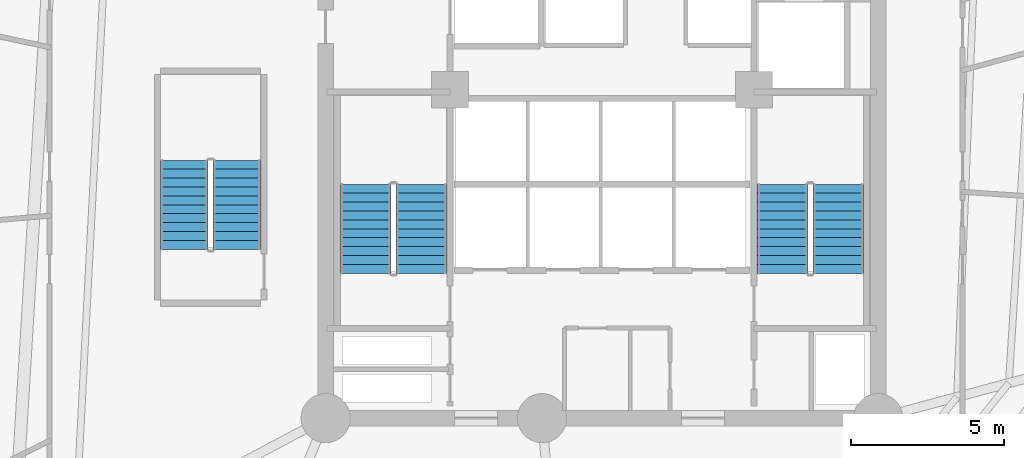
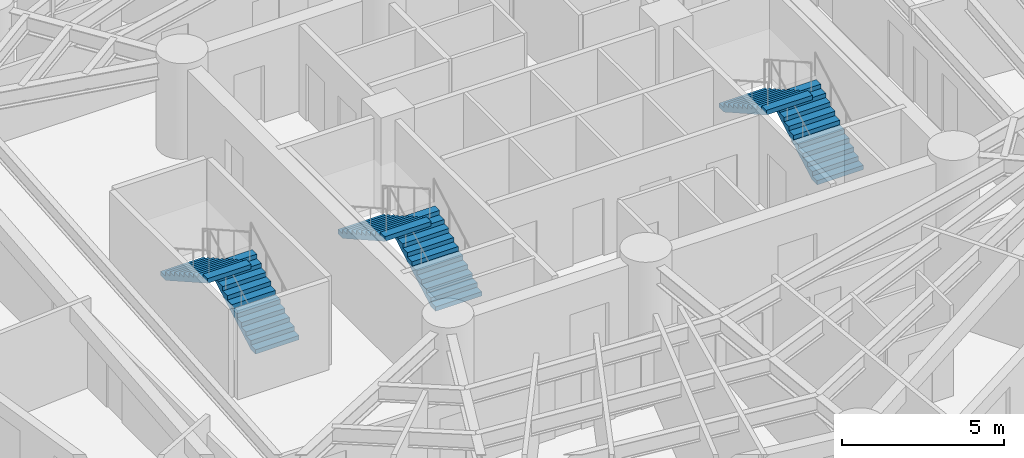
# One storey, part 7 of 9: 6 stair flights, 3 elements without a shape of their own.
"""IFC4 building model written with IfcOpenShell, lengths in metres."""

from ifc_helpers import new_model, si_unit, direction, frame, origin, place, context, subcontext, project, spatial, polyline, outline, extrude, material, type_object, element, aggregate, save


model = new_model("IFC4")

# Units and contexts
model_context = context("Model", 3, precision=1e-05, world=origin(), true_north=direction((0.0, 1.0)))
body_context = subcontext(model_context, "Body", "Model", "MODEL_VIEW")
ifc_project = project(units=[si_unit("LENGTHUNIT", "METRE"), si_unit("AREAUNIT", "SQUARE_METRE"), si_unit("VOLUMEUNIT", "CUBIC_METRE"), si_unit("PLANEANGLEUNIT", "RADIAN"), si_unit("MASSUNIT", "GRAM", prefix="KILO")], contexts=[model_context])

# Site, building, storey
site_placement = place(None, origin())
site = spatial("IfcSite", under=ifc_project, at=site_placement, CompositionType="ELEMENT")
building_placement = place(site_placement, origin())
building = spatial("IfcBuilding", under=site, at=building_placement, Name="Karkom Vertical University and Central Library", CompositionType="ELEMENT")
storey_placement = place(building_placement, frame((0.0, 0.0, 69.699951171875)))
storey = spatial("IfcBuildingStorey", under=building, at=storey_placement, Name="L18", CompositionType="ELEMENT", Elevation=69.699951171875)

# Stair, stair flights
ifc_material = material(Name="Concrete C45/55", Category="concrete")
stair_type_1 = type_object("IfcStairType", Name="INT-STR-ST-MAIN", PredefinedType="HALF_TURN_STAIR", material=ifc_material)
stair_1_placement = place(storey_placement, origin())
stair_1 = element("IfcStair", 1, at=stair_1_placement, inside=storey, type_object=stair_type_1, Name="Level 18 Tower Protected Exit Stair ST-1", PredefinedType="HALF_TURN_STAIR")
stair_flight_type_1 = type_object("IfcStairFlightType", Name="INT-SFL-ST-MAIN", PredefinedType="STRAIGHT", material=ifc_material)
stair_flight_1_placement = place(storey_placement, frame((22.614990234375, 23.02001953125, 0.0), z_axis=(0.0, 0.0, 1.0), x_axis=(0.0, 1.0, 0.0)))
stair_flight_1 = element("IfcStairFlight", 2, at=stair_flight_1_placement, type_object=stair_flight_type_1, Name="ST-1 flight 1", NumberOfRisers=11, NumberOfTreads=10, PredefinedType="STRAIGHT", RiserHeight=0.163636364, TreadLength=0.29, context=body_context, shape_type="SweptSolid", body=[
    extrude(outline(polyline([(0.0, 0.0), (0.0, 0.16357421875), (0.2900390625, 0.16357421875), (0.2900390625, 0.327392578125), (0.580078125, 0.327392578125), (0.580078125, 0.490966796875), (0.8701171875, 0.490966796875), (0.8701171875, 0.654541015625), (1.159912109375, 0.654541015625), (1.159912109375, 0.818115234375), (1.449951171875, 0.818115234375), (1.449951171875, 0.98193359375), (1.739990234375, 0.98193359375), (1.739990234375, 1.1455078125), (2.030029296875, 1.1455078125), (2.030029296875, 1.30908203125), (2.320068359375, 1.30908203125), (2.320068359375, 1.47265625), (2.610107421875, 1.47265625), (2.610107421875, 1.636474609375), (2.89990234375, 1.636474609375), (2.89990234375, 1.800048828125), (2.89990234375, 1.46435546875), (0.304931640625, 0.0), (0.0, 0.0)])), frame((0.0, 0.824951171875, 0.0), z_axis=(0.0, -1.0, 0.0), x_axis=(1.0, 0.0, 0.0)), (0.0, 0.0, 1.0), 1.64990234375),
])
stair_flight_2_placement = place(storey_placement, frame((20.804931640625, 25.919921875, 1.800048828125), z_axis=(0.0, 0.0, 1.0), x_axis=(0.0, -1.0, 0.0)))
stair_flight_2 = element("IfcStairFlight", 3, at=stair_flight_2_placement, type_object=stair_flight_type_1, Name="ST-1 flight 2", NumberOfRisers=11, NumberOfTreads=10, PredefinedType="STRAIGHT", RiserHeight=0.163636364, TreadLength=0.29, context=body_context, shape_type="SweptSolid", body=[
    extrude(outline(polyline([(0.0, 0.0), (0.0, 0.16357421875), (0.2900390625, 0.16357421875), (0.2900390625, 0.327392578125), (0.580078125, 0.327392578125), (0.580078125, 0.490966796875), (0.8701171875, 0.490966796875), (0.8701171875, 0.654541015625), (1.159912109375, 0.654541015625), (1.159912109375, 0.818115234375), (1.449951171875, 0.818115234375), (1.449951171875, 0.98193359375), (1.739990234375, 0.98193359375), (1.739990234375, 1.1455078125), (2.030029296875, 1.1455078125), (2.030029296875, 1.30908203125), (2.320068359375, 1.30908203125), (2.320068359375, 1.47265625), (2.610107421875, 1.47265625), (2.610107421875, 1.636474609375), (2.89990234375, 1.636474609375), (2.89990234375, 1.800048828125), (2.89990234375, 1.46435546875), (0.304931640625, 0.0), (0.0, 0.0)])), frame((0.0, 0.824951171875, 0.0), z_axis=(0.0, -1.0, 0.0), x_axis=(1.0, 0.0, 0.0)), (0.0, 0.0, 1.0), 1.64990234375),
])
aggregate(stair_1, [stair_flight_1, stair_flight_2])

stair_2_placement = place(storey_placement, origin())
stair_2 = element("IfcStair", 4, at=stair_2_placement, inside=storey, type_object=stair_type_1, Name="Level 18 Tower Protected Exit Stair ST-2", PredefinedType="HALF_TURN_STAIR")
stair_flight_3_placement = place(storey_placement, frame((36.195068359375, 23.02001953125, 0.0), z_axis=(0.0, 0.0, 1.0), x_axis=(0.0, 1.0, 0.0)))
stair_flight_3 = element("IfcStairFlight", 5, at=stair_flight_3_placement, type_object=stair_flight_type_1, Name="ST-2 flight 1", NumberOfRisers=11, NumberOfTreads=10, PredefinedType="STRAIGHT", RiserHeight=0.163636364, TreadLength=0.29, context=body_context, shape_type="SweptSolid", body=[
    extrude(outline(polyline([(0.0, 0.0), (0.0, 0.16357421875), (0.2900390625, 0.16357421875), (0.2900390625, 0.327392578125), (0.580078125, 0.327392578125), (0.580078125, 0.490966796875), (0.8701171875, 0.490966796875), (0.8701171875, 0.654541015625), (1.159912109375, 0.654541015625), (1.159912109375, 0.818115234375), (1.449951171875, 0.818115234375), (1.449951171875, 0.98193359375), (1.739990234375, 0.98193359375), (1.739990234375, 1.1455078125), (2.030029296875, 1.1455078125), (2.030029296875, 1.30908203125), (2.320068359375, 1.30908203125), (2.320068359375, 1.47265625), (2.610107421875, 1.47265625), (2.610107421875, 1.636474609375), (2.89990234375, 1.636474609375), (2.89990234375, 1.800048828125), (2.89990234375, 1.46435546875), (0.304931640625, 0.0), (0.0, 0.0)])), frame((0.0, 0.824951171875, 0.0), z_axis=(0.0, -1.0, 0.0), x_axis=(1.0, 0.0, 0.0)), (0.0, 0.0, 1.0), 1.64990234375),
])
stair_flight_4_placement = place(storey_placement, frame((34.385009765625, 25.919921875, 1.800048828125), z_axis=(0.0, 0.0, 1.0), x_axis=(0.0, -1.0, 0.0)))
stair_flight_4 = element("IfcStairFlight", 6, at=stair_flight_4_placement, type_object=stair_flight_type_1, Name="ST-2 flight 2", NumberOfRisers=11, NumberOfTreads=10, PredefinedType="STRAIGHT", RiserHeight=0.163636364, TreadLength=0.29, context=body_context, shape_type="SweptSolid", body=[
    extrude(outline(polyline([(0.0, 0.0), (0.0, 0.16357421875), (0.2900390625, 0.16357421875), (0.2900390625, 0.327392578125), (0.580078125, 0.327392578125), (0.580078125, 0.490966796875), (0.8701171875, 0.490966796875), (0.8701171875, 0.654541015625), (1.159912109375, 0.654541015625), (1.159912109375, 0.818115234375), (1.449951171875, 0.818115234375), (1.449951171875, 0.98193359375), (1.739990234375, 0.98193359375), (1.739990234375, 1.1455078125), (2.030029296875, 1.1455078125), (2.030029296875, 1.30908203125), (2.320068359375, 1.30908203125), (2.320068359375, 1.47265625), (2.610107421875, 1.47265625), (2.610107421875, 1.636474609375), (2.89990234375, 1.636474609375), (2.89990234375, 1.800048828125), (2.89990234375, 1.46435546875), (0.304931640625, 0.0), (0.0, 0.0)])), frame((0.0, 0.824951171875, 0.0), z_axis=(0.0, -1.0, 0.0), x_axis=(1.0, 0.0, 0.0)), (0.0, 0.0, 1.0), 1.64990234375),
])
aggregate(stair_2, [stair_flight_3, stair_flight_4])

stair_type_2 = type_object("IfcStairType", Name="INT-STR-ST-SEC", PredefinedType="HALF_TURN_STAIR", material=ifc_material)
stair_3_placement = place(storey_placement, origin())
stair_3 = element("IfcStair", 7, at=stair_3_placement, inside=storey, type_object=stair_type_2, Name="Level 18 Academic Zone Protected Exit Stair ST-3", PredefinedType="HALF_TURN_STAIR")
stair_flight_type_2 = type_object("IfcStairFlightType", Name="INT-SFL-ST-SEC", PredefinedType="STRAIGHT", material=ifc_material)
stair_flight_5_placement = place(storey_placement, frame((16.60498046875, 23.800048828125, 0.0), z_axis=(0.0, 0.0, 1.0), x_axis=(0.0, 1.0, 0.0)))
stair_flight_5 = element("IfcStairFlight", 8, at=stair_flight_5_placement, type_object=stair_flight_type_2, Name="ST-3 flight 1", NumberOfRisers=11, NumberOfTreads=10, PredefinedType="STRAIGHT", RiserHeight=0.163636364, TreadLength=0.29, context=body_context, shape_type="SweptSolid", body=[
    extrude(outline(polyline([(0.0, 0.0), (0.0, 0.16357421875), (0.2900390625, 0.16357421875), (0.2900390625, 0.327392578125), (0.580078125, 0.327392578125), (0.580078125, 0.490966796875), (0.8701171875, 0.490966796875), (0.8701171875, 0.654541015625), (1.159912109375, 0.654541015625), (1.159912109375, 0.818115234375), (1.449951171875, 0.818115234375), (1.449951171875, 0.98193359375), (1.739990234375, 0.98193359375), (1.739990234375, 1.1455078125), (2.030029296875, 1.1455078125), (2.030029296875, 1.30908203125), (2.320068359375, 1.30908203125), (2.320068359375, 1.47265625), (2.610107421875, 1.47265625), (2.610107421875, 1.636474609375), (2.89990234375, 1.636474609375), (2.89990234375, 1.800048828125), (2.89990234375, 1.46435546875), (0.304931640625, 0.0), (0.0, 0.0)])), frame((0.0, 0.77490234375, 0.0), z_axis=(0.0, -1.0, 0.0), x_axis=(1.0, 0.0, 0.0)), (0.0, 0.0, 1.0), 1.550048828125),
])
stair_flight_6_placement = place(storey_placement, frame((14.89501953125, 26.699951171875, 1.800048828125), z_axis=(0.0, 0.0, 1.0), x_axis=(0.0, -1.0, 0.0)))
stair_flight_6 = element("IfcStairFlight", 9, at=stair_flight_6_placement, type_object=stair_flight_type_2, Name="ST-3 flight 2", NumberOfRisers=11, NumberOfTreads=10, PredefinedType="STRAIGHT", RiserHeight=0.163636364, TreadLength=0.29, context=body_context, shape_type="SweptSolid", body=[
    extrude(outline(polyline([(0.0, 0.0), (0.0, 0.16357421875), (0.2900390625, 0.16357421875), (0.2900390625, 0.327392578125), (0.580078125, 0.327392578125), (0.580078125, 0.490966796875), (0.8701171875, 0.490966796875), (0.8701171875, 0.654541015625), (1.159912109375, 0.654541015625), (1.159912109375, 0.818115234375), (1.449951171875, 0.818115234375), (1.449951171875, 0.98193359375), (1.739990234375, 0.98193359375), (1.739990234375, 1.1455078125), (2.030029296875, 1.1455078125), (2.030029296875, 1.30908203125), (2.320068359375, 1.30908203125), (2.320068359375, 1.47265625), (2.610107421875, 1.47265625), (2.610107421875, 1.636474609375), (2.89990234375, 1.636474609375), (2.89990234375, 1.800048828125), (2.89990234375, 1.46435546875), (0.304931640625, 0.0), (0.0, 0.0)])), frame((0.0, 0.77490234375, 0.0), z_axis=(0.0, -1.0, 0.0), x_axis=(1.0, 0.0, 0.0)), (0.0, 0.0, 1.0), 1.550048828125),
])
aggregate(stair_3, [stair_flight_5, stair_flight_6])

save(model, "model.ifc")
